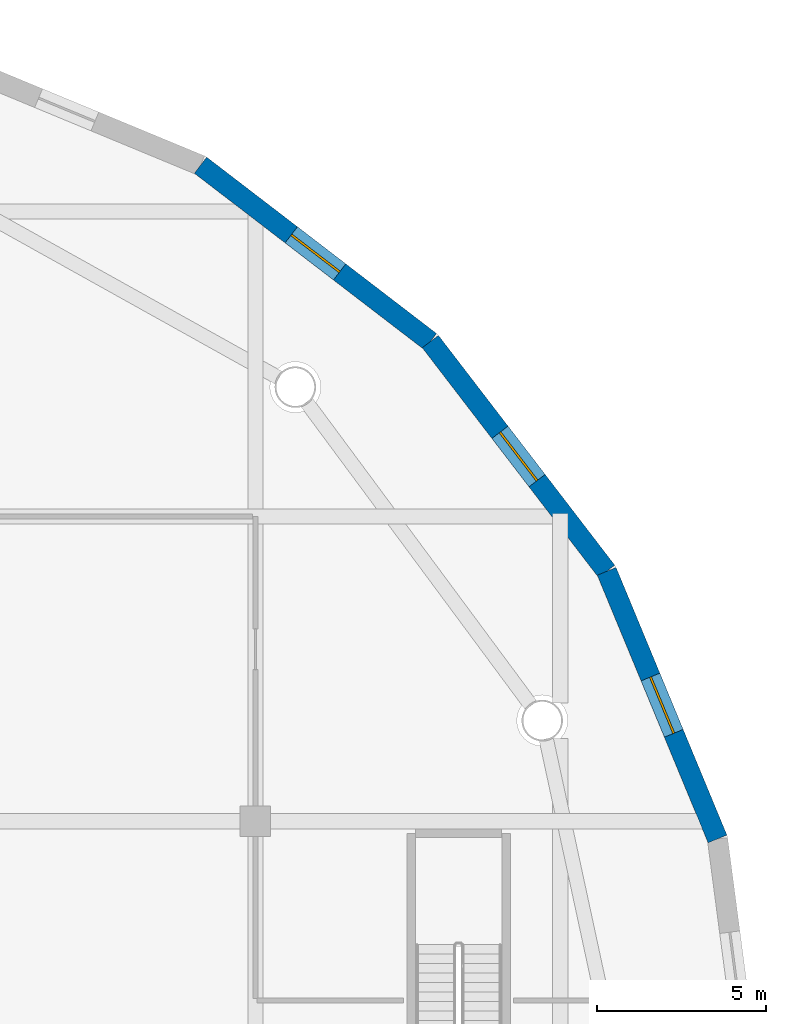
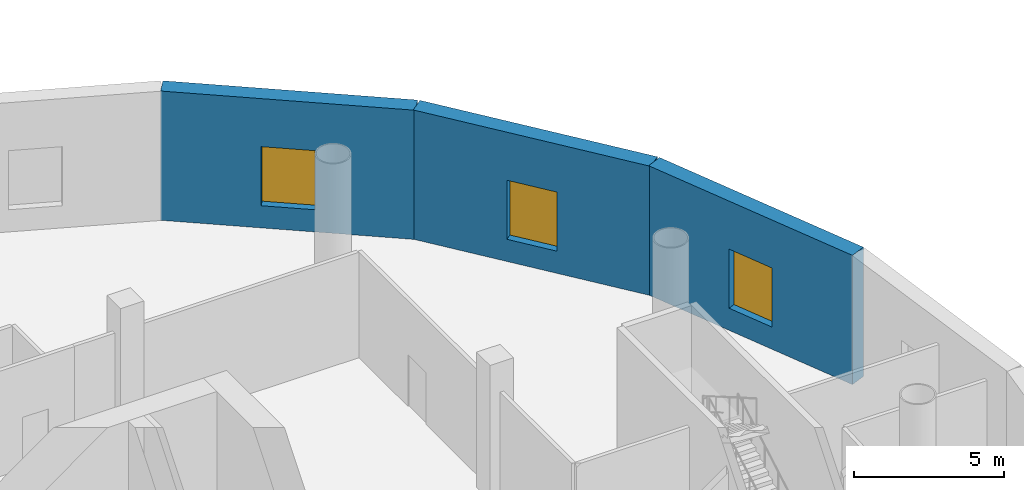
# One storey, part 12 of 23: 3 walls, 3 windows, 3 openings.
"""IFC4 building model written with IfcOpenShell, lengths in metres."""

from ifc_helpers import new_model, si_unit, direction, frame, frame_2d, origin, place, context, subcontext, project, spatial, rectangle, extrude, material, layer, layer_set, type_object, element, fill, save


model = new_model("IFC4")

# Units and contexts
model_context = context("Model", 3, precision=1e-05, world=origin(), true_north=direction((0.0, 1.0)))
body_context = subcontext(model_context, "Body", "Model", "MODEL_VIEW")
ifc_project = project(units=[si_unit("LENGTHUNIT", "METRE"), si_unit("AREAUNIT", "SQUARE_METRE"), si_unit("VOLUMEUNIT", "CUBIC_METRE"), si_unit("PLANEANGLEUNIT", "RADIAN"), si_unit("MASSUNIT", "GRAM", prefix="KILO")], contexts=[model_context])

# Site, building, storey
site_placement = place(None, origin())
site = spatial("IfcSite", under=ifc_project, at=site_placement, CompositionType="ELEMENT")
building_placement = place(site_placement, origin())
building = spatial("IfcBuilding", under=site, at=building_placement, Name="Tarsis Ring Headquarters", CompositionType="ELEMENT")
storey_placement = place(building_placement, frame((0.0, 0.0, 19.5)))
storey = spatial("IfcBuildingStorey", under=building, at=storey_placement, Name="L03", CompositionType="ELEMENT", Elevation=19.5)

# Wall, opening, window
ifc_material_1 = material(Name="Concrete C60/75", Category="concrete")
ifc_layer = layer(ifc_material_1, 0.60009765625)
ifc_layer_set = layer_set([ifc_layer], Name="PO-W600")
wall_type = type_object("IfcWallType", Name="PO-W600", PredefinedType="SOLIDWALL", material=ifc_layer_set)
wall_1_placement = place(storey_placement, frame((31.6416015625, 8.478271484375, 0.0), z_axis=(0.0, 0.0, 1.0), x_axis=(-0.382674535665, 0.923883217595, 0.0)))
wall_1 = element("IfcWall", 1, at=wall_1_placement, inside=storey, type_object=wall_type, Name="L03 external wall 17", PredefinedType="SOLIDWALL", context=body_context, shape_type="SweptSolid", body=[
    extrude(rectangle(XDim=8.551513671875, YDim=0.60009765625, at=frame_2d((4.27587890625, 0.0))), origin(), (0.0, 0.0, 1.0), 5.25),
])
opening_1_placement = place(wall_1_placement, frame((3.375732421875, 0.0, 0.89990234375)))
opening_1 = element("IfcOpeningElement", 2, at=opening_1_placement, cuts=wall_1, Name="Opening PO-WN1", PredefinedType="OPENING", context=body_context, shape_type="SweptSolid", body=[
    extrude(rectangle(XDim=1.800048828125, YDim=2.39990234375, at=frame_2d((0.89990234375, 1.199951171875))), frame((0.0, 0.31005859375, 0.0), z_axis=(0.0, -1.0, 0.0), x_axis=(1.0, 0.0, 0.0)), (0.0, 0.0, 1.0), 0.6201171875),
])
ifc_material_2 = material(Name="Double glazing", Category="glass")
window_type = type_object("IfcWindowType", Name="PO-WN1800", PartitioningType="SINGLE_PANEL", PredefinedType="WINDOW", material=ifc_material_2)
window_1_placement = place(opening_1_placement, origin())
window_1 = element("IfcWindow", 3, at=window_1_placement, inside=storey, type_object=window_type, Name="L03 window 17.1", OverallHeight=2.39990234375, OverallWidth=1.800048828125, PartitioningType="SINGLE_PANEL", PredefinedType="WINDOW", context=body_context, shape_type="SweptSolid", body=[
    extrude(rectangle(XDim=1.800048828125, YDim=2.39990234375, at=frame_2d((0.89990234375, 1.199951171875))), frame((0.0, 0.030029296875, 0.0), z_axis=(0.0, -1.0, 0.0), x_axis=(1.0, 0.0, 0.0)), (0.0, 0.0, 1.0), 0.06005859375),
])
fill(opening_1, window_1)

wall_2_placement = place(storey_placement, frame((28.369140625, 16.37890625, 0.0), z_axis=(0.0, 0.0, 1.0), x_axis=(-0.608756942646, 0.793356782778, 0.0)))
wall_2 = element("IfcWall", 4, at=wall_2_placement, inside=storey, type_object=wall_type, Name="L03 external wall 18", PredefinedType="SOLIDWALL", context=body_context, shape_type="SweptSolid", body=[
    extrude(rectangle(XDim=8.551513671875, YDim=0.60009765625, at=frame_2d((4.27587890625, 0.0))), origin(), (0.0, 0.0, 1.0), 5.25),
])
opening_2_placement = place(wall_2_placement, frame((3.375732421875, 0.0, 0.89990234375)))
opening_2 = element("IfcOpeningElement", 5, at=opening_2_placement, cuts=wall_2, Name="Opening PO-WN1", PredefinedType="OPENING", context=body_context, shape_type="SweptSolid", body=[
    extrude(rectangle(XDim=1.800048828125, YDim=2.39990234375, at=frame_2d((0.89990234375, 1.199951171875))), frame((0.0, 0.31005859375, 0.0), z_axis=(0.0, -1.0, 0.0), x_axis=(1.0, 0.0, 0.0)), (0.0, 0.0, 1.0), 0.6201171875),
])
window_2_placement = place(opening_2_placement, origin())
window_2 = element("IfcWindow", 6, at=window_2_placement, inside=storey, type_object=window_type, Name="L03 window 18.1", OverallHeight=2.39990234375, OverallWidth=1.800048828125, PartitioningType="SINGLE_PANEL", PredefinedType="WINDOW", context=body_context, shape_type="SweptSolid", body=[
    extrude(rectangle(XDim=1.800048828125, YDim=2.39990234375, at=frame_2d((0.89990234375, 1.199951171875))), frame((0.0, 0.030029296875, 0.0), z_axis=(0.0, -1.0, 0.0), x_axis=(1.0, 0.0, 0.0)), (0.0, 0.0, 1.0), 0.06005859375),
])
fill(opening_2, window_2)

wall_3_placement = place(storey_placement, frame((23.163330078125, 23.163330078125, 0.0), z_axis=(0.0, 0.0, 1.0), x_axis=(-0.793356782778, 0.608756942646, 0.0)))
wall_3 = element("IfcWall", 7, at=wall_3_placement, inside=storey, type_object=wall_type, Name="L03 external wall 19", PredefinedType="SOLIDWALL", context=body_context, shape_type="SweptSolid", body=[
    extrude(rectangle(XDim=8.551513671875, YDim=0.60009765625, at=frame_2d((4.27587890625, 0.0))), origin(), (0.0, 0.0, 1.0), 5.25),
])
opening_3_placement = place(wall_3_placement, frame((3.375732421875, 0.0, 0.89990234375)))
opening_3 = element("IfcOpeningElement", 8, at=opening_3_placement, cuts=wall_3, Name="Opening PO-WN1", PredefinedType="OPENING", context=body_context, shape_type="SweptSolid", body=[
    extrude(rectangle(XDim=1.800048828125, YDim=2.39990234375, at=frame_2d((0.89990234375, 1.199951171875))), frame((0.0, 0.31005859375, 0.0), z_axis=(0.0, -1.0, 0.0), x_axis=(1.0, 0.0, 0.0)), (0.0, 0.0, 1.0), 0.6201171875),
])
window_3_placement = place(opening_3_placement, origin())
window_3 = element("IfcWindow", 9, at=window_3_placement, inside=storey, type_object=window_type, Name="L03 window 19.1", OverallHeight=2.39990234375, OverallWidth=1.800048828125, PartitioningType="SINGLE_PANEL", PredefinedType="WINDOW", context=body_context, shape_type="SweptSolid", body=[
    extrude(rectangle(XDim=1.800048828125, YDim=2.39990234375, at=frame_2d((0.89990234375, 1.199951171875))), frame((0.0, 0.030029296875, 0.0), z_axis=(0.0, -1.0, 0.0), x_axis=(1.0, 0.0, 0.0)), (0.0, 0.0, 1.0), 0.06005859375),
])
fill(opening_3, window_3)

save(model, "model.ifc")
